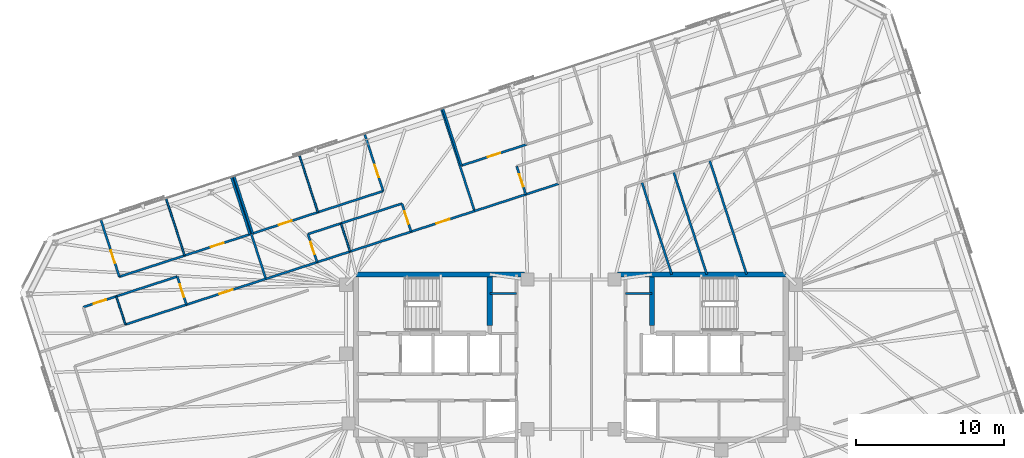
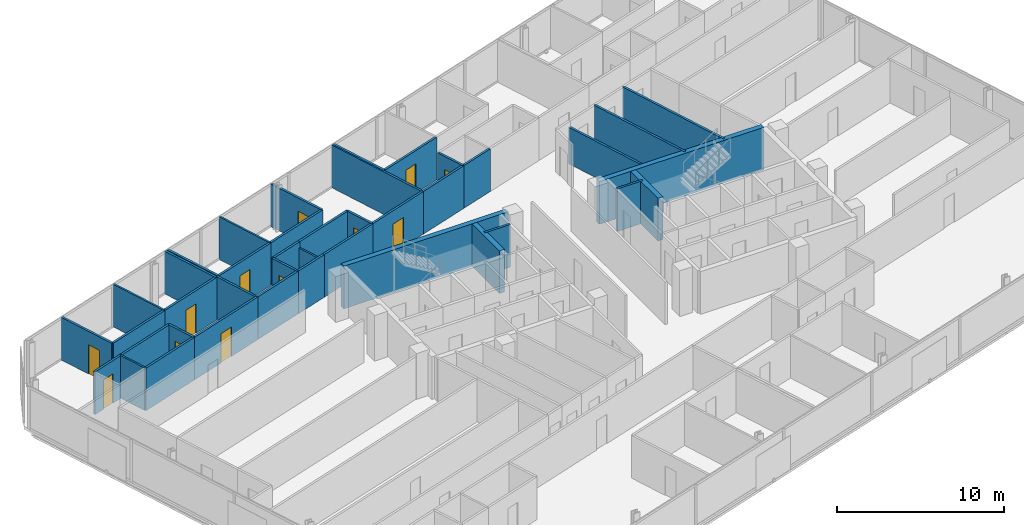
# One storey, part 16 of 20: 41 walls, 12 doors, 12 openings.
"""IFC4 building model written with IfcOpenShell, lengths in metres."""

from ifc_helpers import new_model, si_unit, direction, frame, frame_2d, origin, place, context, subcontext, project, spatial, rectangle, extrude, material, layer, layer_set, type_object, element, fill, save


model = new_model("IFC4")

# Units and contexts
model_context = context("Model", 3, precision=1e-05, world=origin(), true_north=direction((0.0, 1.0)))
body_context = subcontext(model_context, "Body", "Model", "MODEL_VIEW")
ifc_project = project(units=[si_unit("LENGTHUNIT", "METRE"), si_unit("AREAUNIT", "SQUARE_METRE"), si_unit("VOLUMEUNIT", "CUBIC_METRE"), si_unit("PLANEANGLEUNIT", "RADIAN"), si_unit("MASSUNIT", "GRAM", prefix="KILO")], contexts=[model_context])

# Site, building, storey
site_placement = place(None, origin())
site = spatial("IfcSite", under=ifc_project, at=site_placement, CompositionType="ELEMENT")
building_placement = place(site_placement, origin())
building = spatial("IfcBuilding", under=site, at=building_placement, Name="Menara Jurai Vektor", CompositionType="ELEMENT")
storey_placement = place(building_placement, frame((0.0, 0.0, 244.39990234375)))
storey = spatial("IfcBuildingStorey", under=building, at=storey_placement, Name="L65", CompositionType="ELEMENT", Elevation=244.39990234375)

# Walls
ifc_material_1 = material(Name="Gypsum Fireboard Partition", Category="gypsum")
ifc_layer_1 = layer(ifc_material_1, 0.14990234375)
ifc_layer_set_1 = layer_set([ifc_layer_1], Name="Gypsum Fireboard Partition")
wall_type_1 = type_object("IfcWallType", Name="INT-WALL-CORR-150", PredefinedType="PARTITIONING", material=ifc_layer_set_1)
for number, where, z_axis, x_axis, name in (
    (1, (-5.5, 4.300048828125, 0.0), (0.0, 0.0, 1.0), (1.0, 0.0, 0.0), "Interior Wall IW-150 L65"),
    (2, (3.699951171875, 4.300048828125, 0.0), (0.0, 0.0, 1.0), (1.0, 0.0, 0.0), "Interior Wall IW-150 L65"),
):
    element("IfcWall", number, at=place(storey_placement, frame(where, z_axis=z_axis, x_axis=x_axis)), inside=storey, type_object=wall_type_1, Name=name, PredefinedType="PARTITIONING", context=body_context, shape_type="SweptSolid", body=[
        extrude(rectangle(XDim=1.800048828125, YDim=0.14990234375, at=frame_2d((0.89990234375, 0.0))), origin(), (0.0, 0.0, 1.0), 3.125),
    ])

# Wall, opening, door
wall_1_placement = place(storey_placement, frame((-26.0546875, 3.549560546875, 0.0), z_axis=(0.0, 0.0, 1.0), x_axis=(0.951063554534, 0.308995332064, 0.0)))
wall_1 = element("IfcWall", 3, at=wall_1_placement, inside=storey, type_object=wall_type_1, Name="Interior Wall IW-150 L65", PredefinedType="PARTITIONING", context=body_context, shape_type="SweptSolid", body=[
    extrude(rectangle(XDim=5.657958984375, YDim=0.14990234375, at=frame_2d((2.8291015625, 0.0))), origin(), (0.0, 0.0, 1.0), 3.125),
])
opening_1_placement = place(wall_1_placement, frame((2.35400390625, 0.0, 0.0)))
opening_1 = element("IfcOpeningElement", 4, at=opening_1_placement, cuts=wall_1, Name="Opening D65-09", PredefinedType="OPENING", context=body_context, shape_type="SweptSolid", body=[
    extrude(rectangle(XDim=0.949951171875, YDim=2.14990234375, at=frame_2d((0.47509765625, 1.074951171875))), frame((0.0, 0.0849609375, 0.0), z_axis=(0.0, -1.0, 0.0), x_axis=(1.0, 0.0, 0.0)), (0.0, 0.0, 1.0), 0.169921875),
])
ifc_material_2 = material(Name="Solid Core Timber Fire Door", Category="wood")
door_type_1 = type_object("IfcDoorType", Name="DR-ENTRY-950", OperationType="NOTDEFINED", PredefinedType="DOOR", material=ifc_material_2)
door_1_placement = place(opening_1_placement, origin())
door_1 = element("IfcDoor", 5, at=door_1_placement, inside=storey, type_object=door_type_1, Name="Interior Door D65-09", OperationType="SINGLE_SWING_RIGHT", OverallHeight=2.14990234375, OverallWidth=0.949951171875, PredefinedType="DOOR", context=body_context, shape_type="SweptSolid", body=[
    extrude(rectangle(XDim=0.949951171875, YDim=2.14990234375, at=frame_2d((0.47509765625, 1.074951171875))), frame((0.0, 0.02490234375, 0.0), z_axis=(0.0, -1.0, 0.0), x_axis=(1.0, 0.0, 0.0)), (0.0, 0.0, 1.0), 0.050048828125),
])
fill(opening_1, door_1)

# Walls
wall_2_placement = place(storey_placement, frame((-30.191650390625, 2.205322265625, 0.0), z_axis=(0.0, 0.0, 1.0), x_axis=(0.951052627573, 0.309028962374, 0.0)))
element("IfcWall", 6, at=wall_2_placement, inside=storey, type_object=wall_type_1, Name="Interior Wall IW-150 L65", PredefinedType="PARTITIONING", context=body_context, shape_type="SweptSolid", body=[
    extrude(rectangle(XDim=4.349853515625, YDim=0.14990234375, at=frame_2d((2.1748046875, 0.0))), origin(), (0.0, 0.0, 1.0), 3.125),
])
wall_3_placement = place(storey_placement, frame((-20.673583984375, 5.2978515625, 0.0), z_axis=(0.0, 0.0, 1.0), x_axis=(0.951057168147, 0.309014988174, 0.0)))
element("IfcWall", 7, at=wall_3_placement, inside=storey, type_object=wall_type_1, Name="Interior Wall IW-150 L65", PredefinedType="PARTITIONING", context=body_context, shape_type="SweptSolid", body=[
    extrude(rectangle(XDim=3.650146484375, YDim=0.14990234375, at=frame_2d((1.8251953125, 0.0))), origin(), (0.0, 0.0, 1.0), 3.125),
])

# Wall, opening, door
wall_4_placement = place(storey_placement, frame((-10.830078125, 8.496337890625, 0.0), z_axis=(0.0, 0.0, 1.0), x_axis=(0.951063822327, 0.308994507816, 0.0)))
wall_4 = element("IfcWall", 8, at=wall_4_placement, inside=storey, type_object=wall_type_1, Name="Interior Wall IW-150 L65", PredefinedType="PARTITIONING", context=body_context, shape_type="SweptSolid", body=[
    extrude(rectangle(XDim=4.521728515625, YDim=0.14990234375, at=frame_2d((2.2607421875, 0.0))), origin(), (0.0, 0.0, 1.0), 3.125),
])
opening_2_placement = place(wall_4_placement, frame((1.785888671875, 0.0, 0.0)))
opening_2 = element("IfcOpeningElement", 9, at=opening_2_placement, cuts=wall_4, Name="Opening D65-14", PredefinedType="OPENING", context=body_context, shape_type="SweptSolid", body=[
    extrude(rectangle(XDim=0.949951171875, YDim=2.14990234375, at=frame_2d((0.47509765625, 1.074951171875))), frame((0.0, 0.0849609375, 0.0), z_axis=(0.0, -1.0, 0.0), x_axis=(1.0, 0.0, 0.0)), (0.0, 0.0, 1.0), 0.169921875),
])
door_2_placement = place(opening_2_placement, origin())
door_2 = element("IfcDoor", 10, at=door_2_placement, inside=storey, type_object=door_type_1, Name="Interior Door D65-14", OperationType="SINGLE_SWING_LEFT", OverallHeight=2.14990234375, OverallWidth=0.949951171875, PredefinedType="DOOR", context=body_context, shape_type="SweptSolid", body=[
    extrude(rectangle(XDim=0.949951171875, YDim=2.14990234375, at=frame_2d((0.47509765625, 1.074951171875))), frame((0.0, 0.02490234375, 0.0), z_axis=(0.0, -1.0, 0.0), x_axis=(1.0, 0.0, 0.0)), (0.0, 0.0, 1.0), 0.050048828125),
])
fill(opening_2, door_2)

# Walls
wall_5_placement = place(storey_placement, frame((-17.2021484375, 6.42578125, 0.0), z_axis=(0.0, 0.0, 1.0), x_axis=(0.951035595692, 0.309081373955, 0.0)))
element("IfcWall", 11, at=wall_5_placement, inside=storey, type_object=wall_type_1, Name="Interior Wall IW-150 L65", PredefinedType="PARTITIONING", context=body_context, shape_type="SweptSolid", body=[
    extrude(rectangle(XDim=2.349853515625, YDim=0.14990234375, at=frame_2d((1.1748046875, 0.0))), origin(), (0.0, 0.0, 1.0), 3.125),
])
wall_6_placement = place(storey_placement, frame((-14.96728515625, 7.152099609375, 0.0), z_axis=(0.0, 0.0, 1.0), x_axis=(0.951057987102, 0.309012467661, 0.0)))
element("IfcWall", 12, at=wall_6_placement, inside=storey, type_object=wall_type_1, Name="Interior Wall IW-150 L65", PredefinedType="PARTITIONING", context=body_context, shape_type="SweptSolid", body=[
    extrude(rectangle(XDim=4.35009765625, YDim=0.14990234375, at=frame_2d((2.175048828125, 0.0))), origin(), (0.0, 0.0, 1.0), 3.125),
])
wall_7_placement = place(storey_placement, frame((-6.529541015625, 9.8935546875, 0.0), z_axis=(0.0, 0.0, 1.0), x_axis=(0.951057168147, 0.309014988174, 0.0)))
element("IfcWall", 13, at=wall_7_placement, inside=storey, type_object=wall_type_1, Name="Interior Wall IW-150 L65", PredefinedType="PARTITIONING", context=body_context, shape_type="SweptSolid", body=[
    extrude(rectangle(XDim=3.650146484375, YDim=0.14990234375, at=frame_2d((1.8251953125, 0.0))), origin(), (0.0, 0.0, 1.0), 3.125),
])
wall_8_placement = place(storey_placement, frame((-3.05810546875, 11.021484375, 0.0), z_axis=(0.0, 0.0, 1.0), x_axis=(0.951045519245, 0.309050837767, 0.0)))
element("IfcWall", 14, at=wall_8_placement, inside=storey, type_object=wall_type_1, Name="Interior Wall IW-150 L65", PredefinedType="PARTITIONING", context=body_context, shape_type="SweptSolid", body=[
    extrude(rectangle(XDim=2.35009765625, YDim=0.14990234375, at=frame_2d((1.175048828125, 0.0))), origin(), (0.0, 0.0, 1.0), 3.125),
])

# Wall, opening, door
wall_9_placement = place(storey_placement, frame((-33.04638671875, 3.385986328125, 0.0), z_axis=(0.0, 0.0, 1.0), x_axis=(0.951045519245, 0.309050837767, 0.0)))
wall_9 = element("IfcWall", 15, at=wall_9_placement, inside=storey, type_object=wall_type_1, Name="Interior Wall IW-150 L65", PredefinedType="PARTITIONING", context=body_context, shape_type="SweptSolid", body=[
    extrude(rectangle(XDim=2.35009765625, YDim=0.14990234375, at=frame_2d((1.175048828125, 0.0))), origin(), (0.0, 0.0, 1.0), 3.125),
])
opening_3_placement = place(wall_9_placement, frame((0.735107421875, 0.0, 0.0)))
opening_3 = element("IfcOpeningElement", 16, at=opening_3_placement, cuts=wall_9, Name="Opening D65-10", PredefinedType="OPENING", context=body_context, shape_type="SweptSolid", body=[
    extrude(rectangle(XDim=0.8798828125, YDim=2.14990234375, at=frame_2d((0.43994140625, 1.074951171875))), frame((0.0, 0.0849609375, 0.0), z_axis=(0.0, -1.0, 0.0), x_axis=(1.0, 0.0, 0.0)), (0.0, 0.0, 1.0), 0.169921875),
])
ifc_material_3 = material(Name="Moisture-Resistant Timber Door", Category="wood")
door_type_2 = type_object("IfcDoorType", Name="DR-BATH-880", OperationType="NOTDEFINED", PredefinedType="DOOR", material=ifc_material_3)
door_3_placement = place(opening_3_placement, origin())
door_3 = element("IfcDoor", 17, at=door_3_placement, inside=storey, type_object=door_type_2, Name="Interior Door D65-10", OperationType="SINGLE_SWING_LEFT", OverallHeight=2.14990234375, OverallWidth=0.8798828125, PredefinedType="DOOR", context=body_context, shape_type="SweptSolid", body=[
    extrude(rectangle(XDim=0.8798828125, YDim=2.14990234375, at=frame_2d((0.43994140625, 1.074951171875))), frame((0.0, 0.02490234375, 0.0), z_axis=(0.0, -1.0, 0.0), x_axis=(1.0, 0.0, 0.0)), (0.0, 0.0, 1.0), 0.050048828125),
])
fill(opening_3, door_3)

# Wall
wall_10_placement = place(storey_placement, frame((-30.811279296875, 4.1123046875, 0.0), z_axis=(0.0, 0.0, 1.0), x_axis=(0.951069122051, 0.308978195154, 0.0)))
element("IfcWall", 18, at=wall_10_placement, inside=storey, type_object=wall_type_1, Name="Interior Wall IW-150 L65", PredefinedType="PARTITIONING", context=body_context, shape_type="SweptSolid", body=[
    extrude(rectangle(XDim=4.349853515625, YDim=0.14990234375, at=frame_2d((2.1748046875, 0.0))), origin(), (0.0, 0.0, 1.0), 3.125),
])

# Wall, opening, door
wall_11_placement = place(storey_placement, frame((-26.0546875, 3.549560546875, 0.0), z_axis=(0.0, 0.0, 1.0), x_axis=(-0.309058537449, 0.951043017129, 0.0)))
wall_11 = element("IfcWall", 19, at=wall_11_placement, inside=storey, type_object=wall_type_1, Name="Interior Wall IW-150 L65", PredefinedType="PARTITIONING", context=body_context, shape_type="SweptSolid", body=[
    extrude(rectangle(XDim=2.0048828125, YDim=0.14990234375, at=frame_2d((1.00244140625, 0.0))), origin(), (0.0, 0.0, 1.0), 3.125),
])
opening_4_placement = place(wall_11_placement, frame((0.552490234375, 0.0, 0.0)))
opening_4 = element("IfcOpeningElement", 20, at=opening_4_placement, cuts=wall_11, Name="Opening D65-11", PredefinedType="OPENING", context=body_context, shape_type="SweptSolid", body=[
    extrude(rectangle(XDim=0.89990234375, YDim=2.14990234375, at=frame_2d((0.449951171875, 1.074951171875))), frame((0.0, 0.0849609375, 0.0), z_axis=(0.0, -1.0, 0.0), x_axis=(1.0, 0.0, 0.0)), (0.0, 0.0, 1.0), 0.169921875),
])
ifc_material_4 = material(Name="Acoustic Timber Interior Door", Category="wood")
door_type_3 = type_object("IfcDoorType", Name="DR-ROOM-900", OperationType="NOTDEFINED", PredefinedType="DOOR", material=ifc_material_4)
door_4_placement = place(opening_4_placement, origin())
door_4 = element("IfcDoor", 21, at=door_4_placement, inside=storey, type_object=door_type_3, Name="Interior Door D65-11", OperationType="SINGLE_SWING_RIGHT", OverallHeight=2.14990234375, OverallWidth=0.89990234375, PredefinedType="DOOR", context=body_context, shape_type="SweptSolid", body=[
    extrude(rectangle(XDim=0.89990234375, YDim=2.14990234375, at=frame_2d((0.449951171875, 1.074951171875))), frame((0.0, 0.02490234375, 0.0), z_axis=(0.0, -1.0, 0.0), x_axis=(1.0, 0.0, 0.0)), (0.0, 0.0, 1.0), 0.050048828125),
])
fill(opening_4, door_4)

wall_12_placement = place(storey_placement, frame((-30.60400390625, 5.44140625, 0.0), z_axis=(0.0, 0.0, 1.0), x_axis=(-0.309018403393, 0.951056058476, 0.0)))
wall_12 = element("IfcWall", 22, at=wall_12_placement, inside=storey, type_object=wall_type_1, Name="Interior Wall IW-150 L65", PredefinedType="PARTITIONING", context=body_context, shape_type="SweptSolid", body=[
    extrude(rectangle(XDim=4.0791015625, YDim=0.14990234375, at=frame_2d((2.03955078125, 0.0))), origin(), (0.0, 0.0, 1.0), 3.125),
])
opening_5_placement = place(wall_12_placement, frame((0.977783203125, 0.0, 0.0)))
opening_5 = element("IfcOpeningElement", 23, at=opening_5_placement, cuts=wall_12, Name="Opening D65-12", PredefinedType="OPENING", context=body_context, shape_type="SweptSolid", body=[
    extrude(rectangle(XDim=0.89990234375, YDim=2.14990234375, at=frame_2d((0.449951171875, 1.074951171875))), frame((0.0, 0.0849609375, 0.0), z_axis=(0.0, -1.0, 0.0), x_axis=(1.0, 0.0, 0.0)), (0.0, 0.0, 1.0), 0.169921875),
])
door_5_placement = place(opening_5_placement, origin())
door_5 = element("IfcDoor", 24, at=door_5_placement, inside=storey, type_object=door_type_3, Name="Interior Door D65-12", OperationType="SINGLE_SWING_LEFT", OverallHeight=2.14990234375, OverallWidth=0.89990234375, PredefinedType="DOOR", context=body_context, shape_type="SweptSolid", body=[
    extrude(rectangle(XDim=0.89990234375, YDim=2.14990234375, at=frame_2d((0.449951171875, 1.074951171875))), frame((0.0, 0.02490234375, 0.0), z_axis=(0.0, -1.0, 0.0), x_axis=(1.0, 0.0, 0.0)), (0.0, 0.0, 1.0), 0.050048828125),
])
fill(opening_5, door_5)

# Wall
wall_13_placement = place(storey_placement, frame((-30.60400390625, 5.44140625, 0.0), z_axis=(0.0, 0.0, 1.0), x_axis=(0.951070715387, 0.308973290646, 0.0)))
element("IfcWall", 25, at=wall_13_placement, inside=storey, type_object=wall_type_1, Name="Interior Wall IW-150 L65", PredefinedType="PARTITIONING", context=body_context, shape_type="SweptSolid", body=[
    extrude(rectangle(XDim=4.650146484375, YDim=0.14990234375, at=frame_2d((2.3251953125, 0.0))), origin(), (0.0, 0.0, 1.0), 3.125),
])

# Wall, opening, door
wall_14_placement = place(storey_placement, frame((-26.181396484375, 6.878173828125, 0.0), z_axis=(0.0, 0.0, 1.0), x_axis=(0.951050272606, 0.309036209813, 0.0)))
wall_14 = element("IfcWall", 26, at=wall_14_placement, inside=storey, type_object=wall_type_1, Name="Interior Wall IW-150 L65", PredefinedType="PARTITIONING", context=body_context, shape_type="SweptSolid", body=[
    extrude(rectangle(XDim=4.64990234375, YDim=0.14990234375, at=frame_2d((2.324951171875, 0.0))), origin(), (0.0, 0.0, 1.0), 3.125),
])
opening_6_placement = place(wall_14_placement, frame((1.875, 0.0, 0.0)))
opening_6 = element("IfcOpeningElement", 27, at=opening_6_placement, cuts=wall_14, Name="Opening D65-13", PredefinedType="OPENING", context=body_context, shape_type="SweptSolid", body=[
    extrude(rectangle(XDim=0.89990234375, YDim=2.14990234375, at=frame_2d((0.449951171875, 1.074951171875))), frame((0.0, 0.0849609375, 0.0), z_axis=(0.0, -1.0, 0.0), x_axis=(1.0, 0.0, 0.0)), (0.0, 0.0, 1.0), 0.169921875),
])
door_6_placement = place(opening_6_placement, origin())
door_6 = element("IfcDoor", 28, at=door_6_placement, inside=storey, type_object=door_type_3, Name="Interior Door D65-13", OperationType="SINGLE_SWING_RIGHT", OverallHeight=2.14990234375, OverallWidth=0.89990234375, PredefinedType="DOOR", context=body_context, shape_type="SweptSolid", body=[
    extrude(rectangle(XDim=0.89990234375, YDim=2.14990234375, at=frame_2d((0.449951171875, 1.074951171875))), frame((0.0, 0.02490234375, 0.0), z_axis=(0.0, -1.0, 0.0), x_axis=(1.0, 0.0, 0.0)), (0.0, 0.0, 1.0), 0.050048828125),
])
fill(opening_6, door_6)

# Walls
wall_15_placement = place(storey_placement, frame((-21.759033203125, 8.315185546875, 0.0), z_axis=(0.0, 0.0, 1.0), x_axis=(-0.309018403393, 0.951056058476, 0.0)))
element("IfcWall", 29, at=wall_15_placement, inside=storey, type_object=wall_type_1, Name="Interior Wall IW-150 L65", PredefinedType="PARTITIONING", context=body_context, shape_type="SweptSolid", body=[
    extrude(rectangle(XDim=4.0791015625, YDim=0.14990234375, at=frame_2d((2.03955078125, 0.0))), origin(), (0.0, 0.0, 1.0), 3.125),
])
wall_16_placement = place(storey_placement, frame((-20.673583984375, 5.2978515625, 0.0), z_axis=(0.0, 0.0, 1.0), x_axis=(-0.309029230739, 0.951052540372, 0.0)))
element("IfcWall", 30, at=wall_16_placement, inside=storey, type_object=wall_type_1, Name="Interior Wall IW-150 L65", PredefinedType="PARTITIONING", context=body_context, shape_type="SweptSolid", body=[
    extrude(rectangle(XDim=7.283935546875, YDim=0.14990234375, at=frame_2d((3.64208984375, 0.0))), origin(), (0.0, 0.0, 1.0), 3.125),
])

# Wall, opening, door
wall_17_placement = place(storey_placement, frame((-17.2021484375, 6.42578125, 0.0), z_axis=(0.0, 0.0, 1.0), x_axis=(-0.309022749039, 0.951054646472, 0.0)))
wall_17 = element("IfcWall", 31, at=wall_17_placement, inside=storey, type_object=wall_type_1, Name="Interior Wall IW-150 L65", PredefinedType="PARTITIONING", context=body_context, shape_type="SweptSolid", body=[
    extrude(rectangle(XDim=2.005126953125, YDim=0.14990234375, at=frame_2d((1.00244140625, 0.0))), origin(), (0.0, 0.0, 1.0), 3.125),
])
opening_7_placement = place(wall_17_placement, frame((0.5625, 0.0, 0.0)))
opening_7 = element("IfcOpeningElement", 32, at=opening_7_placement, cuts=wall_17, Name="Opening D65-15", PredefinedType="OPENING", context=body_context, shape_type="SweptSolid", body=[
    extrude(rectangle(XDim=0.8798828125, YDim=2.14990234375, at=frame_2d((0.43994140625, 1.074951171875))), frame((0.0, 0.0849609375, 0.0), z_axis=(0.0, -1.0, 0.0), x_axis=(1.0, 0.0, 0.0)), (0.0, 0.0, 1.0), 0.169921875),
])
door_7_placement = place(opening_7_placement, origin())
door_7 = element("IfcDoor", 33, at=door_7_placement, inside=storey, type_object=door_type_2, Name="Interior Door D65-15", OperationType="SINGLE_SWING_RIGHT", OverallHeight=2.14990234375, OverallWidth=0.8798828125, PredefinedType="DOOR", context=body_context, shape_type="SweptSolid", body=[
    extrude(rectangle(XDim=0.8798828125, YDim=2.14990234375, at=frame_2d((0.43994140625, 1.074951171875))), frame((0.0, 0.02490234375, 0.0), z_axis=(0.0, -1.0, 0.0), x_axis=(1.0, 0.0, 0.0)), (0.0, 0.0, 1.0), 0.050048828125),
])
fill(opening_7, door_7)

# Walls
wall_18_placement = place(storey_placement, frame((-17.82177734375, 8.332763671875, 0.0), z_axis=(0.0, 0.0, 1.0), x_axis=(0.951066131077, 0.308987401554, 0.0)))
element("IfcWall", 34, at=wall_18_placement, inside=storey, type_object=wall_type_1, Name="Interior Wall IW-150 L65", PredefinedType="PARTITIONING", context=body_context, shape_type="SweptSolid", body=[
    extrude(rectangle(XDim=2.349853515625, YDim=0.14990234375, at=frame_2d((1.1748046875, 0.0))), origin(), (0.0, 0.0, 1.0), 3.125),
])
wall_19_placement = place(storey_placement, frame((-15.5869140625, 9.058837890625, 0.0), z_axis=(0.0, 0.0, 1.0), x_axis=(0.951057987102, 0.309012467661, 0.0)))
element("IfcWall", 35, at=wall_19_placement, inside=storey, type_object=wall_type_1, Name="Interior Wall IW-150 L65", PredefinedType="PARTITIONING", context=body_context, shape_type="SweptSolid", body=[
    extrude(rectangle(XDim=4.35009765625, YDim=0.14990234375, at=frame_2d((2.175048828125, 0.0))), origin(), (0.0, 0.0, 1.0), 3.125),
])

# Wall, opening, door
wall_20_placement = place(storey_placement, frame((-10.830078125, 8.496337890625, 0.0), z_axis=(0.0, 0.0, 1.0), x_axis=(-0.309058537449, 0.951043017129, 0.0)))
wall_20 = element("IfcWall", 36, at=wall_20_placement, inside=storey, type_object=wall_type_1, Name="Interior Wall IW-150 L65", PredefinedType="PARTITIONING", context=body_context, shape_type="SweptSolid", body=[
    extrude(rectangle(XDim=2.0048828125, YDim=0.14990234375, at=frame_2d((1.00244140625, 0.0))), origin(), (0.0, 0.0, 1.0), 3.125),
])
opening_8_placement = place(wall_20_placement, frame((0.552490234375, 0.0, 0.0)))
opening_8 = element("IfcOpeningElement", 37, at=opening_8_placement, cuts=wall_20, Name="Opening D65-16", PredefinedType="OPENING", context=body_context, shape_type="SweptSolid", body=[
    extrude(rectangle(XDim=0.89990234375, YDim=2.14990234375, at=frame_2d((0.449951171875, 1.074951171875))), frame((0.0, 0.0849609375, 0.0), z_axis=(0.0, -1.0, 0.0), x_axis=(1.0, 0.0, 0.0)), (0.0, 0.0, 1.0), 0.169921875),
])
door_8_placement = place(opening_8_placement, origin())
door_8 = element("IfcDoor", 38, at=door_8_placement, inside=storey, type_object=door_type_3, Name="Interior Door D65-16", OperationType="SINGLE_SWING_LEFT", OverallHeight=2.14990234375, OverallWidth=0.89990234375, PredefinedType="DOOR", context=body_context, shape_type="SweptSolid", body=[
    extrude(rectangle(XDim=0.89990234375, YDim=2.14990234375, at=frame_2d((0.449951171875, 1.074951171875))), frame((0.0, 0.02490234375, 0.0), z_axis=(0.0, -1.0, 0.0), x_axis=(1.0, 0.0, 0.0)), (0.0, 0.0, 1.0), 0.050048828125),
])
fill(opening_8, door_8)

# Wall
wall_21_placement = place(storey_placement, frame((-21.56884765625, 8.376953125, 0.0), z_axis=(0.0, 0.0, 1.0), x_axis=(-0.309018403393, 0.951056058476, 0.0)))
element("IfcWall", 39, at=wall_21_placement, inside=storey, type_object=wall_type_1, Name="Interior Wall IW-150 L65", PredefinedType="PARTITIONING", context=body_context, shape_type="SweptSolid", body=[
    extrude(rectangle(XDim=4.0791015625, YDim=0.14990234375, at=frame_2d((2.03955078125, 0.0))), origin(), (0.0, 0.0, 1.0), 3.125),
])

# Wall, opening, door
wall_22_placement = place(storey_placement, frame((-21.56884765625, 8.376953125, 0.0), z_axis=(0.0, 0.0, 1.0), x_axis=(0.951050272606, 0.309036209813, 0.0)))
wall_22 = element("IfcWall", 40, at=wall_22_placement, inside=storey, type_object=wall_type_1, Name="Interior Wall IW-150 L65", PredefinedType="PARTITIONING", context=body_context, shape_type="SweptSolid", body=[
    extrude(rectangle(XDim=4.64990234375, YDim=0.14990234375, at=frame_2d((2.324951171875, 0.0))), origin(), (0.0, 0.0, 1.0), 3.125),
])
opening_9_placement = place(wall_22_placement, frame((1.875, 0.0, 0.0)))
opening_9 = element("IfcOpeningElement", 41, at=opening_9_placement, cuts=wall_22, Name="Opening D65-17", PredefinedType="OPENING", context=body_context, shape_type="SweptSolid", body=[
    extrude(rectangle(XDim=0.89990234375, YDim=2.14990234375, at=frame_2d((0.449951171875, 1.074951171875))), frame((0.0, 0.0849609375, 0.0), z_axis=(0.0, -1.0, 0.0), x_axis=(1.0, 0.0, 0.0)), (0.0, 0.0, 1.0), 0.169921875),
])
door_9_placement = place(opening_9_placement, origin())
door_9 = element("IfcDoor", 42, at=door_9_placement, inside=storey, type_object=door_type_3, Name="Interior Door D65-17", OperationType="SINGLE_SWING_RIGHT", OverallHeight=2.14990234375, OverallWidth=0.89990234375, PredefinedType="DOOR", context=body_context, shape_type="SweptSolid", body=[
    extrude(rectangle(XDim=0.89990234375, YDim=2.14990234375, at=frame_2d((0.449951171875, 1.074951171875))), frame((0.0, 0.02490234375, 0.0), z_axis=(0.0, -1.0, 0.0), x_axis=(1.0, 0.0, 0.0)), (0.0, 0.0, 1.0), 0.050048828125),
])
fill(opening_9, door_9)

# Wall
wall_23_placement = place(storey_placement, frame((-17.146484375, 9.81396484375, 0.0), z_axis=(0.0, 0.0, 1.0), x_axis=(0.951065702951, 0.308988719326, 0.0)))
element("IfcWall", 43, at=wall_23_placement, inside=storey, type_object=wall_type_1, Name="Interior Wall IW-150 L65", PredefinedType="PARTITIONING", context=body_context, shape_type="SweptSolid", body=[
    extrude(rectangle(XDim=4.64990234375, YDim=0.14990234375, at=frame_2d((2.324951171875, 0.0))), origin(), (0.0, 0.0, 1.0), 3.125),
])

# Wall, opening, door
wall_24_placement = place(storey_placement, frame((-12.72412109375, 11.250732421875, 0.0), z_axis=(0.0, 0.0, 1.0), x_axis=(-0.309018403393, 0.951056058476, 0.0)))
wall_24 = element("IfcWall", 44, at=wall_24_placement, inside=storey, type_object=wall_type_1, Name="Interior Wall IW-150 L65", PredefinedType="PARTITIONING", context=body_context, shape_type="SweptSolid", body=[
    extrude(rectangle(XDim=4.0791015625, YDim=0.14990234375, at=frame_2d((2.03955078125, 0.0))), origin(), (0.0, 0.0, 1.0), 3.125),
])
opening_10_placement = place(wall_24_placement, frame((0.977783203125, 0.0, 0.0)))
opening_10 = element("IfcOpeningElement", 45, at=opening_10_placement, cuts=wall_24, Name="Opening D65-18", PredefinedType="OPENING", context=body_context, shape_type="SweptSolid", body=[
    extrude(rectangle(XDim=0.89990234375, YDim=2.14990234375, at=frame_2d((0.449951171875, 1.074951171875))), frame((0.0, 0.0849609375, 0.0), z_axis=(0.0, -1.0, 0.0), x_axis=(1.0, 0.0, 0.0)), (0.0, 0.0, 1.0), 0.169921875),
])
door_10_placement = place(opening_10_placement, origin())
door_10 = element("IfcDoor", 46, at=door_10_placement, inside=storey, type_object=door_type_3, Name="Interior Door D65-18", OperationType="SINGLE_SWING_LEFT", OverallHeight=2.14990234375, OverallWidth=0.89990234375, PredefinedType="DOOR", context=body_context, shape_type="SweptSolid", body=[
    extrude(rectangle(XDim=0.89990234375, YDim=2.14990234375, at=frame_2d((0.449951171875, 1.074951171875))), frame((0.0, 0.02490234375, 0.0), z_axis=(0.0, -1.0, 0.0), x_axis=(1.0, 0.0, 0.0)), (0.0, 0.0, 1.0), 0.050048828125),
])
fill(opening_10, door_10)

# Wall
wall_25_placement = place(storey_placement, frame((-6.529541015625, 9.8935546875, 0.0), z_axis=(0.0, 0.0, 1.0), x_axis=(-0.308998913866, 0.951062390819, 0.0)))
element("IfcWall", 47, at=wall_25_placement, inside=storey, type_object=wall_type_1, Name="Interior Wall IW-150 L65", PredefinedType="PARTITIONING", context=body_context, shape_type="SweptSolid", body=[
    extrude(rectangle(XDim=7.283935546875, YDim=0.14990234375, at=frame_2d((3.64208984375, 0.0))), origin(), (0.0, 0.0, 1.0), 3.125),
])

# Wall, opening, door
wall_26_placement = place(storey_placement, frame((-3.05810546875, 11.021484375, 0.0), z_axis=(0.0, 0.0, 1.0), x_axis=(-0.309022749039, 0.951054646472, 0.0)))
wall_26 = element("IfcWall", 48, at=wall_26_placement, inside=storey, type_object=wall_type_1, Name="Interior Wall IW-150 L65", PredefinedType="PARTITIONING", context=body_context, shape_type="SweptSolid", body=[
    extrude(rectangle(XDim=2.005126953125, YDim=0.14990234375, at=frame_2d((1.00244140625, 0.0))), origin(), (0.0, 0.0, 1.0), 3.125),
])
opening_11_placement = place(wall_26_placement, frame((0.5625, 0.0, 0.0)))
opening_11 = element("IfcOpeningElement", 49, at=opening_11_placement, cuts=wall_26, Name="Opening D65-20", PredefinedType="OPENING", context=body_context, shape_type="SweptSolid", body=[
    extrude(rectangle(XDim=0.8798828125, YDim=2.14990234375, at=frame_2d((0.43994140625, 1.074951171875))), frame((0.0, 0.0849609375, 0.0), z_axis=(0.0, -1.0, 0.0), x_axis=(1.0, 0.0, 0.0)), (0.0, 0.0, 1.0), 0.169921875),
])
door_11_placement = place(opening_11_placement, origin())
door_11 = element("IfcDoor", 50, at=door_11_placement, inside=storey, type_object=door_type_2, Name="Interior Door D65-20", OperationType="SINGLE_SWING_LEFT", OverallHeight=2.14990234375, OverallWidth=0.8798828125, PredefinedType="DOOR", context=body_context, shape_type="SweptSolid", body=[
    extrude(rectangle(XDim=0.8798828125, YDim=2.14990234375, at=frame_2d((0.43994140625, 1.074951171875))), frame((0.0, 0.02490234375, 0.0), z_axis=(0.0, -1.0, 0.0), x_axis=(1.0, 0.0, 0.0)), (0.0, 0.0, 1.0), 0.050048828125),
])
fill(opening_11, door_11)

# Wall
wall_27_placement = place(storey_placement, frame((-7.4248046875, 12.97265625, 0.0), z_axis=(0.0, 0.0, 1.0), x_axis=(-0.309018403393, 0.951056058476, 0.0)))
element("IfcWall", 51, at=wall_27_placement, inside=storey, type_object=wall_type_1, Name="Interior Wall IW-150 L65", PredefinedType="PARTITIONING", context=body_context, shape_type="SweptSolid", body=[
    extrude(rectangle(XDim=4.0791015625, YDim=0.14990234375, at=frame_2d((2.03955078125, 0.0))), origin(), (0.0, 0.0, 1.0), 3.125),
])

# Wall, opening, door
wall_28_placement = place(storey_placement, frame((-7.4248046875, 12.97265625, 0.0), z_axis=(0.0, 0.0, 1.0), x_axis=(0.951055286502, 0.309020779263, 0.0)))
wall_28 = element("IfcWall", 52, at=wall_28_placement, inside=storey, type_object=wall_type_1, Name="Interior Wall IW-150 L65", PredefinedType="PARTITIONING", context=body_context, shape_type="SweptSolid", body=[
    extrude(rectangle(XDim=4.650146484375, YDim=0.14990234375, at=frame_2d((2.3251953125, 0.0))), origin(), (0.0, 0.0, 1.0), 3.125),
])
opening_12_placement = place(wall_28_placement, frame((1.875, 0.0, 0.0)))
opening_12 = element("IfcOpeningElement", 53, at=opening_12_placement, cuts=wall_28, Name="Opening D65-22", PredefinedType="OPENING", context=body_context, shape_type="SweptSolid", body=[
    extrude(rectangle(XDim=0.89990234375, YDim=2.14990234375, at=frame_2d((0.449951171875, 1.074951171875))), frame((0.0, 0.0849609375, 0.0), z_axis=(0.0, -1.0, 0.0), x_axis=(1.0, 0.0, 0.0)), (0.0, 0.0, 1.0), 0.169921875),
])
door_12_placement = place(opening_12_placement, origin())
door_12 = element("IfcDoor", 54, at=door_12_placement, inside=storey, type_object=door_type_3, Name="Interior Door D65-22", OperationType="SINGLE_SWING_LEFT", OverallHeight=2.14990234375, OverallWidth=0.89990234375, PredefinedType="DOOR", context=body_context, shape_type="SweptSolid", body=[
    extrude(rectangle(XDim=0.89990234375, YDim=2.14990234375, at=frame_2d((0.449951171875, 1.074951171875))), frame((0.0, 0.02490234375, 0.0), z_axis=(0.0, -1.0, 0.0), x_axis=(1.0, 0.0, 0.0)), (0.0, 0.0, 1.0), 0.050048828125),
])
fill(opening_12, door_12)

# Walls
wall_29_placement = place(storey_placement, frame((9.207763671875, 5.599609375, 0.0), z_axis=(0.0, 0.0, 1.0), x_axis=(-0.309021275068, 0.951055125403, 0.0)))
element("IfcWall", 55, at=wall_29_placement, inside=storey, type_object=wall_type_1, Name="Interior Wall IW-150 L65", PredefinedType="PARTITIONING", context=body_context, shape_type="SweptSolid", body=[
    extrude(rectangle(XDim=7.326904296875, YDim=0.14990234375, at=frame_2d((3.66357421875, 0.0))), origin(), (0.0, 0.0, 1.0), 3.125),
])
wall_30_placement = place(storey_placement, frame((11.90771484375, 5.599853515625, 0.0), z_axis=(0.0, 0.0, 1.0), x_axis=(-0.308994076163, 0.951063962568, 0.0)))
element("IfcWall", 56, at=wall_30_placement, inside=storey, type_object=wall_type_1, Name="Interior Wall IW-150 L65", PredefinedType="PARTITIONING", context=body_context, shape_type="SweptSolid", body=[
    extrude(rectangle(XDim=8.1611328125, YDim=0.14990234375, at=frame_2d((4.08056640625, 0.0))), origin(), (0.0, 0.0, 1.0), 3.125),
])
ifc_layer_2 = layer(ifc_material_1, 0.14990234375)
ifc_layer_set_2 = layer_set([ifc_layer_2], Name="Gypsum Fireboard Partition")
wall_type_2 = type_object("IfcWallType", Name="INT-WALL-CORR-150-H1", PredefinedType="PARTITIONING", material=ifc_layer_set_2)
wall_31_placement = place(storey_placement, frame((6.83251953125, 5.599609375, 0.0), z_axis=(0.0, 0.0, 1.0), x_axis=(-0.309019923183, 0.951055564663, 0.0)))
element("IfcWall", 57, at=wall_31_placement, inside=storey, type_object=wall_type_2, Name="Interior Wall IW-150 L65", PredefinedType="PARTITIONING", context=body_context, shape_type="SweptSolid", body=[
    extrude(rectangle(XDim=6.593017578125, YDim=0.14990234375, at=frame_2d((3.29638671875, 0.0))), origin(), (0.0, 0.0, 1.0), 2.675048828125),
])
ifc_material_5 = material(Name="Gypsum Acoustic Stud Partition", Category="gypsum")
ifc_layer_3 = layer(ifc_material_5, 0.1201171875)
ifc_layer_set_3 = layer_set([ifc_layer_3], Name="Gypsum Acoustic Stud Partition")
wall_type_3 = type_object("IfcWallType", Name="INT-WALL-PART-120", PredefinedType="PARTITIONING", material=ifc_layer_set_3)
wall_32_placement = place(storey_placement, frame((-30.191650390625, 2.205322265625, 0.0), z_axis=(0.0, 0.0, 1.0), x_axis=(-0.309022749039, 0.951054646472, 0.0)))
element("IfcWall", 58, at=wall_32_placement, inside=storey, type_object=wall_type_3, Name="Interior Wall IW-120 L65", PredefinedType="PARTITIONING", context=body_context, shape_type="SweptSolid", body=[
    extrude(rectangle(XDim=2.005126953125, YDim=0.1201171875, at=frame_2d((1.00244140625, 0.0))), origin(), (0.0, 0.0, 1.0), 3.125),
])
for number, where, z_axis, x_axis, name in (
    (59, (-26.181396484375, 6.878173828125, 0.0), (0.0, 0.0, 1.0), (-0.309018403393, 0.951056058476, 0.0), "Interior Wall IW-120 L65"),
    (60, (-17.146484375, 9.81396484375, 0.0), (0.0, 0.0, 1.0), (-0.309018403393, 0.951056058476, 0.0), "Interior Wall IW-120 L65"),
):
    element("IfcWall", number, at=place(storey_placement, frame(where, z_axis=z_axis, x_axis=x_axis)), inside=storey, type_object=wall_type_3, Name=name, PredefinedType="PARTITIONING", context=body_context, shape_type="SweptSolid", body=[
        extrude(rectangle(XDim=4.0791015625, YDim=0.1201171875, at=frame_2d((2.03955078125, 0.0))), origin(), (0.0, 0.0, 1.0), 3.125),
    ])
ifc_layer_4 = layer(ifc_material_5, 0.1201171875)
ifc_layer_set_4 = layer_set([ifc_layer_4], Name="Gypsum Acoustic Stud Partition")
wall_type_4 = type_object("IfcWallType", Name="INT-WALL-PART-120-H1", PredefinedType="PARTITIONING", material=ifc_layer_set_4)
wall_33_placement = place(storey_placement, frame((-14.96728515625, 7.152099609375, 0.0), z_axis=(0.0, 0.0, 1.0), x_axis=(-0.309058537449, 0.951043017129, 0.0)))
element("IfcWall", 61, at=wall_33_placement, inside=storey, type_object=wall_type_4, Name="Interior Wall IW-120 L65", PredefinedType="PARTITIONING", context=body_context, shape_type="SweptSolid", body=[
    extrude(rectangle(XDim=2.0048828125, YDim=0.1201171875, at=frame_2d((1.00244140625, 0.0))), origin(), (0.0, 0.0, 1.0), 2.675048828125),
])
ifc_material_6 = material(Name="Concrete C50/60", Category="concrete")
ifc_layer_5 = layer(ifc_material_6, 0.35009765625)
ifc_layer_set_5 = layer_set([ifc_layer_5], Name="Concrete C50/60")
wall_type_5 = type_object("IfcWallType", Name="STR-WALL-CORE350", PredefinedType="SHEAR", material=ifc_layer_set_5)
wall_34_placement = place(storey_placement, frame((-14.56005859375, 5.60009765625, 0.0), z_axis=(0.0, 0.0, 1.0), x_axis=(1.0, 0.0, 0.0)))
element("IfcWall", 62, at=wall_34_placement, inside=storey, type_object=wall_type_5, Name="Core Shear Wall CW-W-N L65", PredefinedType="SHEAR", context=body_context, shape_type="SweptSolid", body=[
    extrude(rectangle(XDim=11.41015625, YDim=0.35009765625, at=frame_2d((5.705078125, 0.0))), origin(), (0.0, 0.0, 1.0), 3.125),
])
wall_35_placement = place(storey_placement, frame((-5.5, 2.14990234375, 0.0), z_axis=(0.0, 0.0, 1.0), x_axis=(0.0, 1.0, 0.0)))
element("IfcWall", 63, at=wall_35_placement, inside=storey, type_object=wall_type_5, Name="Core Shear Wall CW-W-ST L65", PredefinedType="SHEAR", context=body_context, shape_type="SweptSolid", body=[
    extrude(rectangle(XDim=3.275146484375, YDim=0.35009765625, at=frame_2d((1.6376953125, 0.0))), origin(), (0.0, 0.0, 1.0), 3.125),
])
wall_36_placement = place(storey_placement, frame((3.14990234375, 5.60009765625, 0.0), z_axis=(0.0, 0.0, 1.0), x_axis=(1.0, 0.0, 0.0)))
element("IfcWall", 64, at=wall_36_placement, inside=storey, type_object=wall_type_5, Name="Core Shear Wall CW-E-N L65", PredefinedType="SHEAR", context=body_context, shape_type="SweptSolid", body=[
    extrude(rectangle(XDim=11.41015625, YDim=0.35009765625, at=frame_2d((5.705078125, 0.0))), origin(), (0.0, 0.0, 1.0), 3.125),
])
wall_37_placement = place(storey_placement, frame((5.5, 2.14990234375, 0.0), z_axis=(0.0, 0.0, 1.0), x_axis=(0.0, 1.0, 0.0)))
element("IfcWall", 65, at=wall_37_placement, inside=storey, type_object=wall_type_5, Name="Core Shear Wall CW-E-ST L65", PredefinedType="SHEAR", context=body_context, shape_type="SweptSolid", body=[
    extrude(rectangle(XDim=3.275146484375, YDim=0.35009765625, at=frame_2d((1.6376953125, 0.0))), origin(), (0.0, 0.0, 1.0), 3.125),
])

save(model, "model.ifc")
